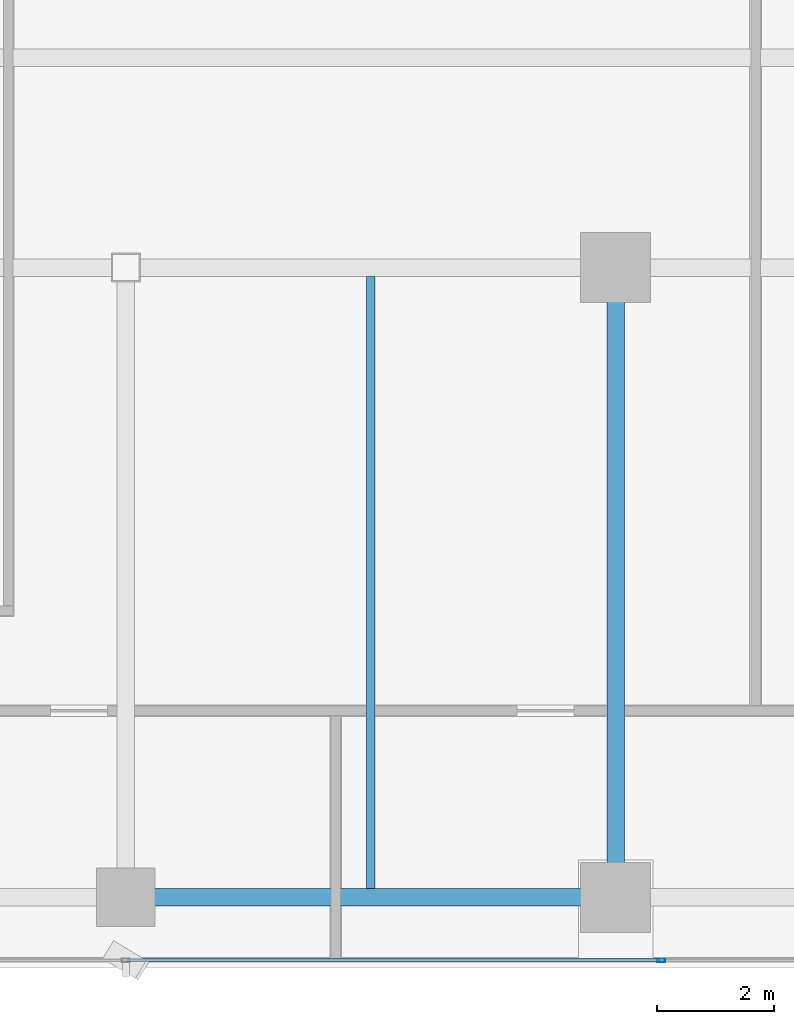
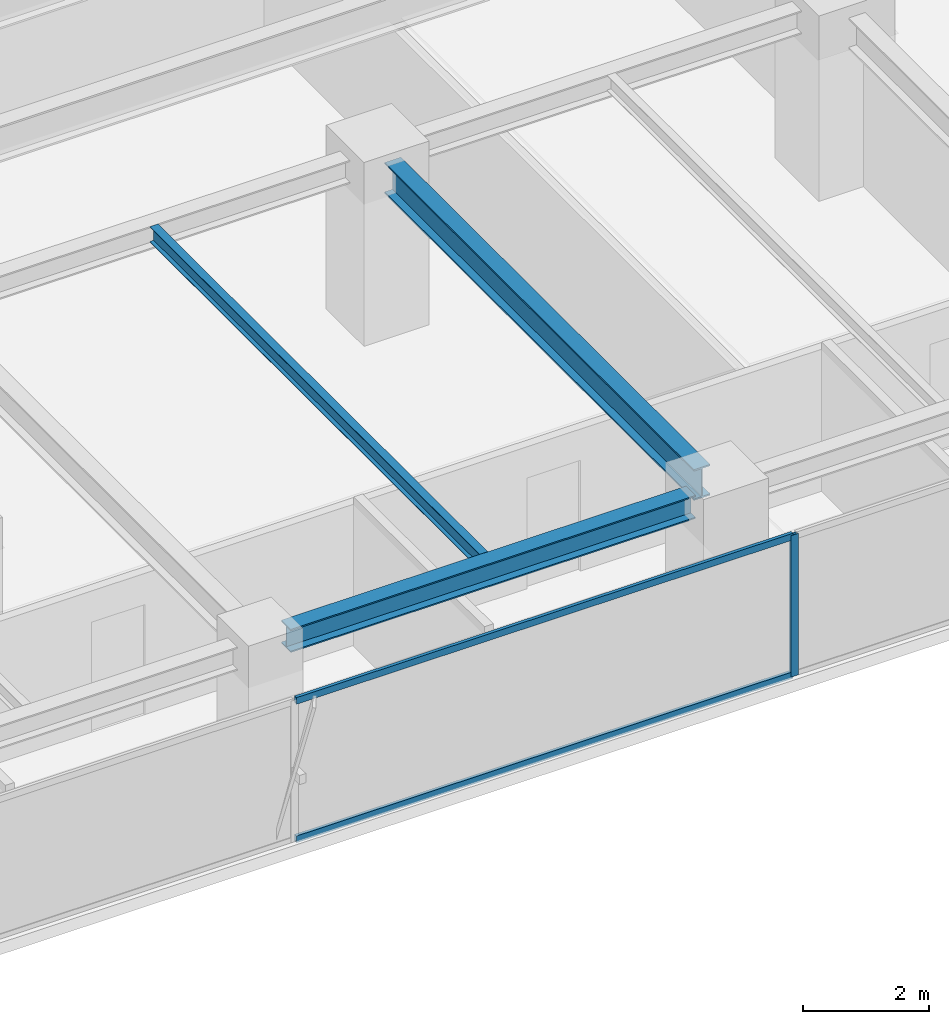
# One storey, part 7 of 26: 3 beams, 3 members, 1 element without a shape of its own.
"""IFC4 building model written with IfcOpenShell, lengths in metres."""

from ifc_helpers import new_model, si_unit, direction, frame, origin, origin_2d, place, context, subcontext, project, spatial, hollow_rectangle, i_section, extrude, source, transform, mapped, material, layer, layer_set, material_profile, profile_set, type_object, element, aggregate, save


model = new_model("IFC4")

# Units and contexts
model_context = context("Model", 3, precision=1e-05, world=origin(), true_north=direction((0.0, 1.0)))
body_context = subcontext(model_context, "Body", "Model", "MODEL_VIEW")
ifc_project = project(units=[si_unit("LENGTHUNIT", "METRE"), si_unit("AREAUNIT", "SQUARE_METRE"), si_unit("VOLUMEUNIT", "CUBIC_METRE"), si_unit("PLANEANGLEUNIT", "RADIAN"), si_unit("MASSUNIT", "GRAM", prefix="KILO")], contexts=[model_context])

# Site, building, storey
site_placement = place(None, origin())
site = spatial("IfcSite", under=ifc_project, at=site_placement, CompositionType="ELEMENT")
building_placement = place(site_placement, origin())
building = spatial("IfcBuilding", under=site, at=building_placement, Name="Sumidabori Civic Tower", CompositionType="ELEMENT")
storey_placement = place(building_placement, frame((0.0, 0.0, 261.199951171875)))
storey = spatial("IfcBuildingStorey", under=building, at=storey_placement, Name="L68", CompositionType="ELEMENT", Elevation=261.199951171875)

# Beams
ifc_material_1 = material(Name="Steel SN490", Category="steel")
ifc_material_profile_1 = material_profile(ifc_material_1, i_section(OverallWidth=0.300048828125, OverallDepth=0.60009765625, WebThickness=0.015380859375, FlangeThickness=0.030029296875, at=origin_2d()), Name="HE 600 B")
ifc_profile_set_1 = profile_set([ifc_material_profile_1], Name="Steel SN490")
beam_type_1 = type_object("IfcBeamType", Name="BM-GIRD-600", PredefinedType="BEAM", material=ifc_profile_set_1)
shared_shape_1 = source(origin(), body_context, "Body", "SweptSolid", [
    extrude(i_section(OverallWidth=0.300048828125, OverallDepth=0.60009765625, WebThickness=0.015380859375, FlangeThickness=0.030029296875, at=origin_2d()), origin(), (0.0, 0.0, 1.0), 9.840087890625),
])
beam_1_placement = place(storey_placement, frame((8.39990234375, -10.320068359375, 3.070068359375), z_axis=(0.0, 1.0, 0.0), x_axis=(-1.0, 0.0, 0.0)))
element("IfcBeam", 1, at=beam_1_placement, inside=storey, type_object=beam_type_1, Name="Primary Girder L68 GY-14", PredefinedType="BEAM", context=body_context, shape_type="MappedRepresentation", body=[
    mapped(shared_shape_1, transform((0.0, 0.0, 0.0), x_axis=(1.0, 0.0, 0.0), y_axis=(0.0, 1.0, 0.0), z_axis=(0.0, 0.0, 1.0), scale=1.0)),
])
ifc_material_profile_2 = material_profile(ifc_material_1, i_section(OverallWidth=0.300048828125, OverallDepth=0.449951171875, WebThickness=0.013916015625, FlangeThickness=0.02587890625, at=origin_2d()), Name="HE 450 B")
ifc_profile_set_2 = profile_set([ifc_material_profile_2], Name="Steel SN490")
beam_type_2 = type_object("IfcBeamType", Name="BM-GIRD-450", PredefinedType="BEAM", material=ifc_profile_set_2)
shared_shape_2 = source(origin(), body_context, "Body", "SweptSolid", [
    extrude(i_section(OverallWidth=0.300048828125, OverallDepth=0.449951171875, WebThickness=0.013916015625, FlangeThickness=0.02587890625, at=origin_2d()), origin(), (0.0, 0.0, 1.0), 7.43994140625),
])
beam_2_placement = place(storey_placement, frame((0.47998046875, -10.800048828125, 3.14501953125), z_axis=(1.0, 0.0, 0.0), x_axis=(0.0, 1.0, 0.0)))
element("IfcBeam", 2, at=beam_2_placement, inside=storey, type_object=beam_type_2, Name="Primary Girder L68 GX-03", PredefinedType="BEAM", context=body_context, shape_type="MappedRepresentation", body=[
    mapped(shared_shape_2, transform((0.0, 0.0, 0.0), x_axis=(1.0, 0.0, 0.0), y_axis=(0.0, 1.0, 0.0), z_axis=(0.0, 0.0, 1.0), scale=1.0)),
])
ifc_material_profile_3 = material_profile(ifc_material_1, i_section(OverallWidth=0.14990234375, OverallDepth=0.300048828125, WebThickness=0.007080078125, FlangeThickness=0.0107421875, at=origin_2d()), Name="IPE 300")
ifc_profile_set_3 = profile_set([ifc_material_profile_3], Name="Steel SN490")
beam_type_3 = type_object("IfcBeamType", Name="BM-JST-300", PredefinedType="JOIST", material=ifc_profile_set_3)
shared_shape_3 = source(origin(), body_context, "Body", "SweptSolid", [
    extrude(i_section(OverallWidth=0.14990234375, OverallDepth=0.300048828125, WebThickness=0.007080078125, FlangeThickness=0.0107421875, at=origin_2d()), origin(), (0.0, 0.0, 1.0), 10.5),
])
beam_3_placement = place(storey_placement, frame((4.199951171875, -10.64990234375, 3.219970703125), z_axis=(0.0, 1.0, 0.0), x_axis=(-1.0, 0.0, 0.0)))
element("IfcBeam", 3, at=beam_3_placement, inside=storey, type_object=beam_type_3, Name="Upper Lens N-S Floor Joist L68 JSTV-22", PredefinedType="JOIST", context=body_context, shape_type="MappedRepresentation", body=[
    mapped(shared_shape_3, transform((0.0, 0.0, 0.0), x_axis=(1.0, 0.0, 0.0), y_axis=(0.0, 1.0, 0.0), z_axis=(0.0, 0.0, 1.0), scale=1.0)),
])

# Curtain wall, members
ifc_material_2 = material(Name="Anodised Bronze Aluminium AW-6063-T6", Category="aluminium")
ifc_layer = layer(ifc_material_2, 0.179931640625, Name="Anodised Bronze Aluminium AW-6063-T6")
ifc_layer_set = layer_set([ifc_layer], Name="Anodised Bronze Aluminium AW-6063-T6")
curtain_wall_type = type_object("IfcCurtainWallType", Name="CW-SYS-5", PredefinedType="NOTDEFINED", material=ifc_layer_set)
curtain_wall_placement = place(storey_placement, origin())
curtain_wall = element("IfcCurtainWall", 4, at=curtain_wall_placement, inside=storey, type_object=curtain_wall_type, Name="Curtain Wall CW:L68:R01", PredefinedType="NOTDEFINED")
ifc_material_profile_4 = material_profile(ifc_material_2, hollow_rectangle(XDim=0.06005859375, YDim=0.1298828125, WallThickness=0.0048828125, at=origin_2d()), Name="ALU TRANSOM 130x60")
ifc_profile_set_4 = profile_set([ifc_material_profile_4], Name="Anodised Bronze Aluminium AW-6063-T6")
member_type_1 = type_object("IfcMemberType", Name="CW-TRN-130", PredefinedType="USERDEFINED", material=ifc_profile_set_4)
shared_shape_4 = source(origin(), body_context, "Body", "SweptSolid", [
    extrude(hollow_rectangle(XDim=0.06005859375, YDim=0.1298828125, WallThickness=0.0048828125, at=origin_2d()), origin(), (0.0, 0.0, 1.0), 9.125),
])
member_1_placement = place(storey_placement, frame((0.030029296875, -11.8798828125, 0.030029296875), z_axis=(1.0, 0.0, 0.0), x_axis=(0.0, 1.0, 0.0)))
member_1 = element("IfcMember", 5, at=member_1_placement, type_object=member_type_1, Name="CW-5 transom 3.1", ObjectType="TRANSOM", PredefinedType="USERDEFINED", context=body_context, shape_type="MappedRepresentation", body=[
    mapped(shared_shape_4, transform((0.0, 0.0, 0.0), x_axis=(1.0, 0.0, 0.0), y_axis=(0.0, 1.0, 0.0), z_axis=(0.0, 0.0, 1.0), scale=1.0)),
])
member_2_placement = place(storey_placement, frame((0.030029296875, -11.8798828125, 2.719970703125), z_axis=(1.0, 0.0, 0.0), x_axis=(0.0, 1.0, 0.0)))
member_2 = element("IfcMember", 6, at=member_2_placement, type_object=member_type_1, Name="CW-5 transom 3.2", ObjectType="TRANSOM", PredefinedType="USERDEFINED", context=body_context, shape_type="MappedRepresentation", body=[
    mapped(shared_shape_4, transform((0.0, 0.0, 0.0), x_axis=(1.0, 0.0, 0.0), y_axis=(0.0, 1.0, 0.0), z_axis=(0.0, 0.0, 1.0), scale=1.0)),
])
ifc_material_profile_5 = material_profile(ifc_material_2, hollow_rectangle(XDim=0.06005859375, YDim=0.139892578125, WallThickness=0.0048828125, at=origin_2d()), Name="ALU MULLION 140x60")
ifc_profile_set_5 = profile_set([ifc_material_profile_5], Name="Anodised Bronze Aluminium AW-6063-T6")
member_type_2 = type_object("IfcMemberType", Name="CW-MUL-140", PredefinedType="MULLION", material=ifc_profile_set_5)
shared_shape_5 = source(origin(), body_context, "Body", "SweptSolid", [
    extrude(hollow_rectangle(XDim=0.06005859375, YDim=0.139892578125, WallThickness=0.0048828125, at=origin_2d()), origin(), (0.0, 0.0, 1.0), 2.75),
])
member_3_placement = place(storey_placement, frame((9.18505859375, -11.8798828125, 0.0), z_axis=(0.0, 0.0, 1.0), x_axis=(0.0, 1.0, 0.0)))
member_3 = element("IfcMember", 7, at=member_3_placement, type_object=member_type_2, Name="CW-5 mullion 4", PredefinedType="MULLION", context=body_context, shape_type="MappedRepresentation", body=[
    mapped(shared_shape_5, transform((0.0, 0.0, 0.0), x_axis=(1.0, 0.0, 0.0), y_axis=(0.0, 1.0, 0.0), z_axis=(0.0, 0.0, 1.0), scale=1.0)),
])
aggregate(curtain_wall, [member_3, member_1, member_2])

save(model, "model.ifc")
